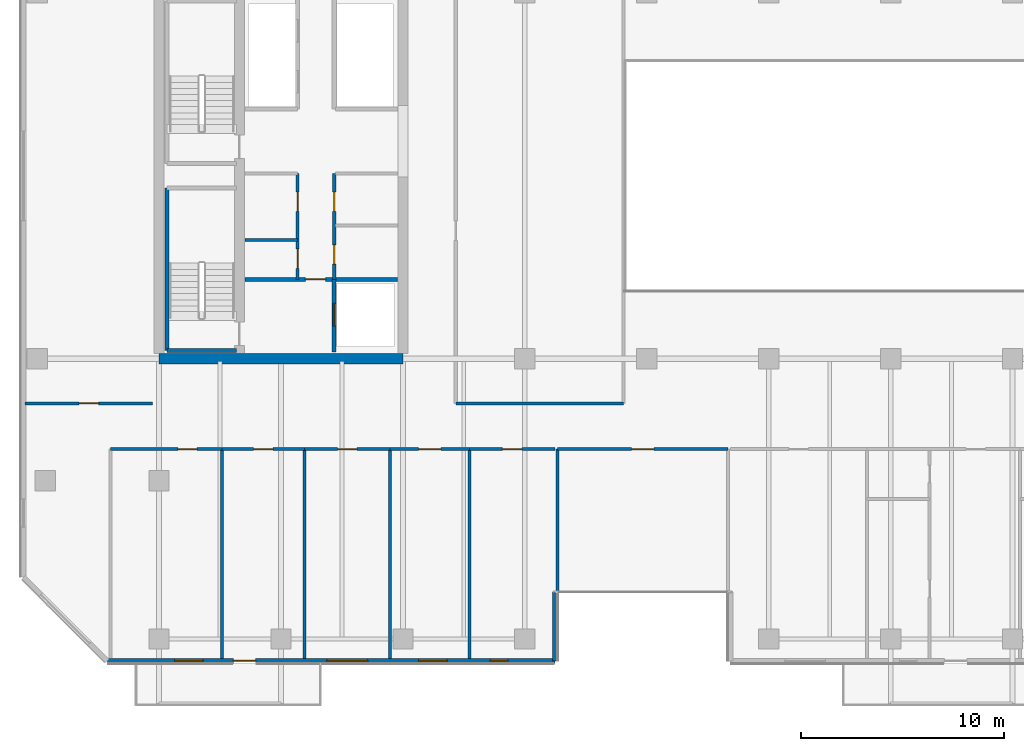
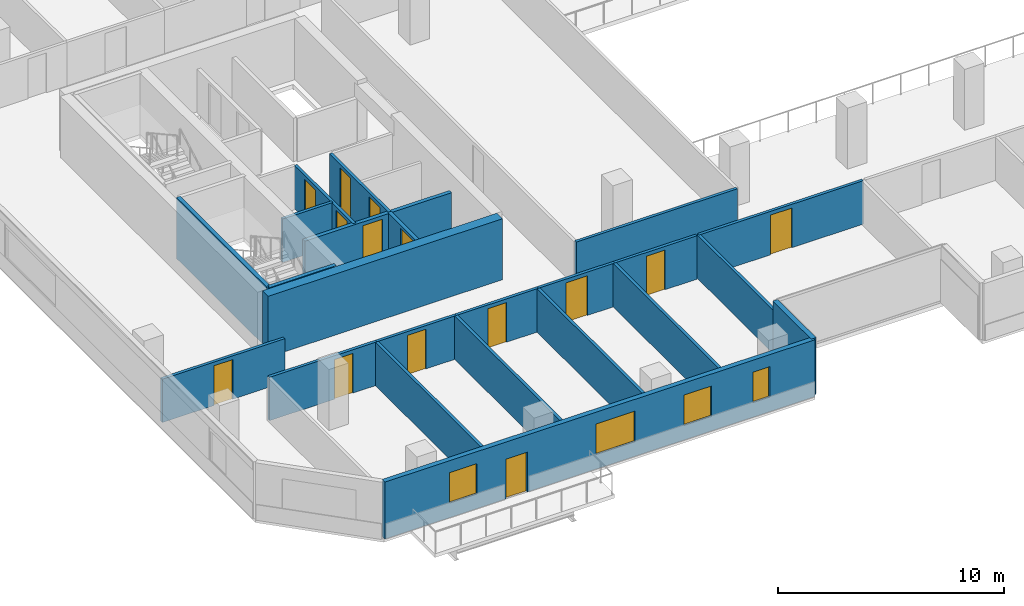
# One storey, part 10 of 23: 23 walls, 14 doors, 4 windows, 18 openings.
"""IFC4 building model written with IfcOpenShell, lengths in metres."""

from ifc_helpers import new_model, si_unit, direction, frame, frame_2d, origin, place, context, subcontext, project, spatial, rectangle, extrude, material, layer, layer_set, type_object, element, fill, save


model = new_model("IFC4")

# Units and contexts
model_context = context("Model", 3, precision=1e-05, world=origin(), true_north=direction((0.0, 1.0)))
body_context = subcontext(model_context, "Body", "Model", "MODEL_VIEW")
ifc_project = project(units=[si_unit("LENGTHUNIT", "METRE"), si_unit("AREAUNIT", "SQUARE_METRE"), si_unit("VOLUMEUNIT", "CUBIC_METRE"), si_unit("PLANEANGLEUNIT", "RADIAN"), si_unit("MASSUNIT", "GRAM", prefix="KILO")], contexts=[model_context])

# Site, building, storey
site_placement = place(None, origin())
site = spatial("IfcSite", under=ifc_project, at=site_placement, CompositionType="ELEMENT")
building_placement = place(site_placement, origin())
building = spatial("IfcBuilding", under=site, at=building_placement, Name="Tanjung Sevakor Pilgrim Tower", CompositionType="ELEMENT")
storey_placement = place(building_placement, frame((0.0, 0.0, 98.669921875)))
storey = spatial("IfcBuildingStorey", under=building, at=storey_placement, Name="L27", CompositionType="ELEMENT", Elevation=98.669921875)

# Walls
ifc_material_1 = material(Name="Concrete C60/75", Category="concrete")
ifc_layer_1 = layer(ifc_material_1, 0.5)
ifc_layer_set_1 = layer_set([ifc_layer_1], Name="WALL-CW-500")
wall_type_1 = type_object("IfcWallType", Name="WALL-CW-500", PredefinedType="SHEAR", material=ifc_layer_set_1)
wall_1_placement = place(storey_placement, frame((24.0, 24.60009765625, 0.0), z_axis=(0.0, 0.0, 1.0), x_axis=(1.0, 0.0, 0.0)))
element("IfcWall", 1, at=wall_1_placement, inside=storey, type_object=wall_type_1, Name="L27 W Core South Shear Wall", PredefinedType="SHEAR", context=body_context, shape_type="SweptSolid", body=[
    extrude(rectangle(XDim=12.0, YDim=0.5, at=frame_2d((6.0, 0.0))), origin(), (0.0, 0.0, 1.0), 3.300048828125),
])
ifc_material_2 = material(Name="Concrete C40/50", Category="concrete")
ifc_layer_2 = layer(ifc_material_2, 0.14990234375)
ifc_layer_set_2 = layer_set([ifc_layer_2], Name="WT-COMP-150")
wall_type_2 = type_object("IfcWallType", Name="WT-COMP-150", PredefinedType="SOLIDWALL", material=ifc_layer_set_2)
wall_2_placement = place(storey_placement, frame((28.219970703125, 30.449951171875, 0.0), z_axis=(0.0, 0.0, 1.0), x_axis=(1.0, 0.0, 0.0)))
element("IfcWall", 2, at=wall_2_placement, inside=storey, type_object=wall_type_2, Name="L27 Partition IW-L27-003", PredefinedType="SOLIDWALL", context=body_context, shape_type="SweptSolid", body=[
    extrude(rectangle(XDim=2.580078125, YDim=0.14990234375, at=frame_2d((1.2900390625, 0.0))), origin(), (0.0, 0.0, 1.0), 2.35009765625),
])

# Wall, openings, doors
wall_3_placement = place(storey_placement, frame((30.820068359375, 28.5, 0.0), z_axis=(0.0, 0.0, 1.0), x_axis=(0.0, 1.0, 0.0)))
wall_3 = element("IfcWall", 3, at=wall_3_placement, inside=storey, type_object=wall_type_2, Name="L27 Partition IW-L27-005", PredefinedType="SOLIDWALL", context=body_context, shape_type="SweptSolid", body=[
    extrude(rectangle(XDim=5.219970703125, YDim=0.14990234375, at=frame_2d((2.60986328125, 0.0))), origin(), (0.0, 0.0, 1.0), 2.35009765625),
])
opening_1_placement = place(wall_3_placement, frame((0.550048828125, 0.0, 0.0)))
opening_1 = element("IfcOpeningElement", 4, at=opening_1_placement, cuts=wall_3, Name="Opening ID-FD2", PredefinedType="OPENING", context=body_context, shape_type="SweptSolid", body=[
    extrude(rectangle(XDim=0.949951171875, YDim=2.14990234375, at=frame_2d((0.47509765625, 1.074951171875))), frame((0.0, 0.0849609375, 0.0), z_axis=(0.0, -1.0, 0.0), x_axis=(1.0, 0.0, 0.0)), (0.0, 0.0, 1.0), 0.169921875),
])
opening_2_placement = place(wall_3_placement, frame((3.35009765625, 0.0, 0.0)))
opening_2 = element("IfcOpeningElement", 5, at=opening_2_placement, cuts=wall_3, Name="Opening ID-FD2", PredefinedType="OPENING", context=body_context, shape_type="SweptSolid", body=[
    extrude(rectangle(XDim=0.949951171875, YDim=2.14990234375, at=frame_2d((0.47509765625, 1.074951171875))), frame((0.0, 0.0849609375, 0.0), z_axis=(0.0, -1.0, 0.0), x_axis=(1.0, 0.0, 0.0)), (0.0, 0.0, 1.0), 0.169921875),
])
ifc_material_3 = material(Name="Fire-Rated Timber", Category="wood")
door_type_1 = type_object("IfcDoorType", Name="DT-FIRE-950", OperationType="NOTDEFINED", PredefinedType="DOOR", material=ifc_material_3)
door_1_placement = place(opening_1_placement, origin())
door_1 = element("IfcDoor", 6, at=door_1_placement, inside=storey, type_object=door_type_1, Name="L27 Cleaner Store Door", OperationType="SINGLE_SWING_LEFT", OverallHeight=2.14990234375, OverallWidth=0.949951171875, PredefinedType="DOOR", context=body_context, shape_type="SweptSolid", body=[
    extrude(rectangle(XDim=0.949951171875, YDim=2.14990234375, at=frame_2d((0.47509765625, 1.074951171875))), frame((0.0, 0.02490234375, 0.0), z_axis=(0.0, -1.0, 0.0), x_axis=(1.0, 0.0, 0.0)), (0.0, 0.0, 1.0), 0.050048828125),
])
fill(opening_1, door_1)
door_2_placement = place(opening_2_placement, origin())
door_2 = element("IfcDoor", 7, at=door_2_placement, inside=storey, type_object=door_type_1, Name="L27 Housekeeping Pantry Door", OperationType="SINGLE_SWING_RIGHT", OverallHeight=2.14990234375, OverallWidth=0.949951171875, PredefinedType="DOOR", context=body_context, shape_type="SweptSolid", body=[
    extrude(rectangle(XDim=0.949951171875, YDim=2.14990234375, at=frame_2d((0.47509765625, 1.074951171875))), frame((0.0, 0.02490234375, 0.0), z_axis=(0.0, -1.0, 0.0), x_axis=(1.0, 0.0, 0.0)), (0.0, 0.0, 1.0), 0.050048828125),
])
fill(opening_2, door_2)

wall_4_placement = place(storey_placement, frame((32.6201171875, 28.5, 0.0), z_axis=(0.0, 0.0, 1.0), x_axis=(0.0, 1.0, 0.0)))
wall_4 = element("IfcWall", 8, at=wall_4_placement, inside=storey, type_object=wall_type_2, Name="L27 Partition IW-L27-008", PredefinedType="SOLIDWALL", context=body_context, shape_type="SweptSolid", body=[
    extrude(rectangle(XDim=5.219970703125, YDim=0.14990234375, at=frame_2d((2.60986328125, 0.0))), origin(), (0.0, 0.0, 1.0), 2.35009765625),
])
opening_3_placement = place(wall_4_placement, frame((0.75, 0.0, 0.0)))
opening_3 = element("IfcOpeningElement", 9, at=opening_3_placement, cuts=wall_4, Name="Opening ID-FD2", PredefinedType="OPENING", context=body_context, shape_type="SweptSolid", body=[
    extrude(rectangle(XDim=0.949951171875, YDim=2.14990234375, at=frame_2d((0.47509765625, 1.074951171875))), frame((0.0, 0.0849609375, 0.0), z_axis=(0.0, -1.0, 0.0), x_axis=(1.0, 0.0, 0.0)), (0.0, 0.0, 1.0), 0.169921875),
])
opening_4_placement = place(wall_4_placement, frame((3.35009765625, 0.0, 0.0)))
opening_4 = element("IfcOpeningElement", 10, at=opening_4_placement, cuts=wall_4, Name="Opening ID-FD2", PredefinedType="OPENING", context=body_context, shape_type="SweptSolid", body=[
    extrude(rectangle(XDim=0.949951171875, YDim=2.14990234375, at=frame_2d((0.47509765625, 1.074951171875))), frame((0.0, 0.0849609375, 0.0), z_axis=(0.0, -1.0, 0.0), x_axis=(1.0, 0.0, 0.0)), (0.0, 0.0, 1.0), 0.169921875),
])
door_3_placement = place(opening_3_placement, origin())
door_3 = element("IfcDoor", 11, at=door_3_placement, inside=storey, type_object=door_type_1, Name="L27 Accessible WC Door", OperationType="SINGLE_SWING_LEFT", OverallHeight=2.14990234375, OverallWidth=0.949951171875, PredefinedType="DOOR", context=body_context, shape_type="SweptSolid", body=[
    extrude(rectangle(XDim=0.949951171875, YDim=2.14990234375, at=frame_2d((0.47509765625, 1.074951171875))), frame((0.0, 0.02490234375, 0.0), z_axis=(0.0, -1.0, 0.0), x_axis=(1.0, 0.0, 0.0)), (0.0, 0.0, 1.0), 0.050048828125),
])
fill(opening_3, door_3)
door_4_placement = place(opening_4_placement, origin())
door_4 = element("IfcDoor", 12, at=door_4_placement, inside=storey, type_object=door_type_1, Name="L27 Core Service Door", OperationType="SINGLE_SWING_RIGHT", OverallHeight=2.14990234375, OverallWidth=0.949951171875, PredefinedType="DOOR", context=body_context, shape_type="SweptSolid", body=[
    extrude(rectangle(XDim=0.949951171875, YDim=2.14990234375, at=frame_2d((0.47509765625, 1.074951171875))), frame((0.0, 0.02490234375, 0.0), z_axis=(0.0, -1.0, 0.0), x_axis=(1.0, 0.0, 0.0)), (0.0, 0.0, 1.0), 0.050048828125),
])
fill(opening_4, door_4)

# Wall
wall_5_placement = place(storey_placement, frame((38.60009765625, 22.39990234375, 0.0), z_axis=(0.0, 0.0, 1.0), x_axis=(1.0, 0.0, 0.0)))
element("IfcWall", 13, at=wall_5_placement, inside=storey, type_object=wall_type_2, Name="L27 Partition IW-L27-025", PredefinedType="SOLIDWALL", context=body_context, shape_type="SweptSolid", body=[
    extrude(rectangle(XDim=8.25, YDim=0.14990234375, at=frame_2d((4.125, 0.0))), origin(), (0.0, 0.0, 1.0), 2.35009765625),
])

# Wall, opening, door
wall_6_placement = place(storey_placement, frame((17.409912109375, 22.39990234375, 0.0), z_axis=(0.0, 0.0, 1.0), x_axis=(1.0, 0.0, 0.0)))
wall_6 = element("IfcWall", 14, at=wall_6_placement, inside=storey, type_object=wall_type_2, Name="L27 Partition IW-L27-033", PredefinedType="SOLIDWALL", context=body_context, shape_type="SweptSolid", body=[
    extrude(rectangle(XDim=6.27001953125, YDim=0.14990234375, at=frame_2d((3.135009765625, 0.0))), origin(), (0.0, 0.0, 1.0), 2.35009765625),
])
opening_5_placement = place(wall_6_placement, frame((2.659912109375, 0.0, 0.0)))
opening_5 = element("IfcOpeningElement", 15, at=opening_5_placement, cuts=wall_6, Name="Opening ID-FD2", PredefinedType="OPENING", context=body_context, shape_type="SweptSolid", body=[
    extrude(rectangle(XDim=0.949951171875, YDim=2.14990234375, at=frame_2d((0.47509765625, 1.074951171875))), frame((0.0, 0.0849609375, 0.0), z_axis=(0.0, -1.0, 0.0), x_axis=(1.0, 0.0, 0.0)), (0.0, 0.0, 1.0), 0.169921875),
])
door_5_placement = place(opening_5_placement, origin())
door_5 = element("IfcDoor", 16, at=door_5_placement, inside=storey, type_object=door_type_1, Name="Study Room Entrance", OperationType="SINGLE_SWING_LEFT", OverallHeight=2.14990234375, OverallWidth=0.949951171875, PredefinedType="DOOR", context=body_context, shape_type="SweptSolid", body=[
    extrude(rectangle(XDim=0.949951171875, YDim=2.14990234375, at=frame_2d((0.47509765625, 1.074951171875))), frame((0.0, 0.02490234375, 0.0), z_axis=(0.0, -1.0, 0.0), x_axis=(1.0, 0.0, 0.0)), (0.0, 0.0, 1.0), 0.050048828125),
])
fill(opening_5, door_5)

wall_7_placement = place(storey_placement, frame((43.60009765625, 20.14990234375, 0.0), z_axis=(0.0, 0.0, 1.0), x_axis=(1.0, 0.0, 0.0)))
wall_7 = element("IfcWall", 17, at=wall_7_placement, inside=storey, type_object=wall_type_2, Name="L27 Partition IW-L27-041", PredefinedType="SOLIDWALL", context=body_context, shape_type="SweptSolid", body=[
    extrude(rectangle(XDim=8.39990234375, YDim=0.14990234375, at=frame_2d((4.199951171875, 0.0))), origin(), (0.0, 0.0, 1.0), 2.35009765625),
])
opening_6_placement = place(wall_7_placement, frame((3.64990234375, 0.0, 0.0)))
opening_6 = element("IfcOpeningElement", 18, at=opening_6_placement, cuts=wall_7, Name="Opening ID-RM2", PredefinedType="OPENING", context=body_context, shape_type="SweptSolid", body=[
    extrude(rectangle(XDim=1.10009765625, YDim=2.14990234375, at=frame_2d((0.550048828125, 1.074951171875))), frame((0.0, 0.0849609375, 0.0), z_axis=(0.0, -1.0, 0.0), x_axis=(1.0, 0.0, 0.0)), (0.0, 0.0, 1.0), 0.169921875),
])
ifc_material_4 = material(Name="Hardwood Timber", Category="wood")
door_type_2 = type_object("IfcDoorType", Name="DT-INT-1100", OperationType="NOTDEFINED", PredefinedType="DOOR", material=ifc_material_4)
door_6_placement = place(opening_6_placement, origin())
door_6 = element("IfcDoor", 19, at=door_6_placement, inside=storey, type_object=door_type_2, Name="L27 South Cleft Tea Sanctuary Door", OperationType="SINGLE_SWING_LEFT", OverallHeight=2.14990234375, OverallWidth=1.10009765625, PredefinedType="DOOR", context=body_context, shape_type="SweptSolid", body=[
    extrude(rectangle(XDim=1.10009765625, YDim=2.14990234375, at=frame_2d((0.550048828125, 1.074951171875))), frame((0.0, 0.02490234375, 0.0), z_axis=(0.0, -1.0, 0.0), x_axis=(1.0, 0.0, 0.0)), (0.0, 0.0, 1.0), 0.050048828125),
])
fill(opening_6, door_6)

# Walls
for number, where, z_axis, x_axis, name in (
    (20, (43.60009765625, 9.85009765625, 0.0), (0.0, 0.0, 1.0), (0.0, 1.0, 0.0), "L27 Partition IW-L27-042"),
    (21, (27.099365234375, 9.85009765625, 0.0), (0.0, 0.0, 1.0), (0.0, 1.0, 0.0), "L27 Partition IW-L27-048"),
):
    element("IfcWall", number, at=place(storey_placement, frame(where, z_axis=z_axis, x_axis=x_axis)), inside=storey, type_object=wall_type_2, Name=name, PredefinedType="SOLIDWALL", context=body_context, shape_type="SweptSolid", body=[
        extrude(rectangle(XDim=10.2998046875, YDim=0.14990234375, at=frame_2d((5.14990234375, 0.0))), origin(), (0.0, 0.0, 1.0), 2.35009765625),
    ])

# Wall, opening, door
wall_8_placement = place(storey_placement, frame((21.60009765625, 20.14990234375, 0.0), z_axis=(0.0, 0.0, 1.0), x_axis=(1.0, 0.0, 0.0)))
wall_8 = element("IfcWall", 22, at=wall_8_placement, inside=storey, type_object=wall_type_2, Name="L27 Partition IW-L27-049", PredefinedType="SOLIDWALL", context=body_context, shape_type="SweptSolid", body=[
    extrude(rectangle(XDim=5.499267578125, YDim=0.14990234375, at=frame_2d((2.74951171875, 0.0))), origin(), (0.0, 0.0, 1.0), 2.35009765625),
])
opening_7_placement = place(wall_8_placement, frame((3.32470703125, 0.0, 0.0)))
opening_7 = element("IfcOpeningElement", 23, at=opening_7_placement, cuts=wall_8, Name="Opening ID-FD2", PredefinedType="OPENING", context=body_context, shape_type="SweptSolid", body=[
    extrude(rectangle(XDim=0.949951171875, YDim=2.14990234375, at=frame_2d((0.47509765625, 1.074951171875))), frame((0.0, 0.0849609375, 0.0), z_axis=(0.0, -1.0, 0.0), x_axis=(1.0, 0.0, 0.0)), (0.0, 0.0, 1.0), 0.169921875),
])
door_7_placement = place(opening_7_placement, origin())
door_7 = element("IfcDoor", 24, at=door_7_placement, inside=storey, type_object=door_type_1, Name="Study Room Entrance", OperationType="SINGLE_SWING_LEFT", OverallHeight=2.14990234375, OverallWidth=0.949951171875, PredefinedType="DOOR", context=body_context, shape_type="SweptSolid", body=[
    extrude(rectangle(XDim=0.949951171875, YDim=2.14990234375, at=frame_2d((0.47509765625, 1.074951171875))), frame((0.0, 0.02490234375, 0.0), z_axis=(0.0, -1.0, 0.0), x_axis=(1.0, 0.0, 0.0)), (0.0, 0.0, 1.0), 0.050048828125),
])
fill(opening_7, door_7)

# Wall
wall_9_placement = place(storey_placement, frame((31.155517578125, 9.85009765625, 0.0), z_axis=(0.0, 0.0, 1.0), x_axis=(0.0, 1.0, 0.0)))
element("IfcWall", 25, at=wall_9_placement, inside=storey, type_object=wall_type_2, Name="L27 Partition IW-L27-050", PredefinedType="SOLIDWALL", context=body_context, shape_type="SweptSolid", body=[
    extrude(rectangle(XDim=10.2998046875, YDim=0.14990234375, at=frame_2d((5.14990234375, 0.0))), origin(), (0.0, 0.0, 1.0), 2.35009765625),
])

# Wall, opening, door
wall_10_placement = place(storey_placement, frame((27.099365234375, 20.14990234375, 0.0), z_axis=(0.0, 0.0, 1.0), x_axis=(1.0, 0.0, 0.0)))
wall_10 = element("IfcWall", 26, at=wall_10_placement, inside=storey, type_object=wall_type_2, Name="L27 Partition IW-L27-051", PredefinedType="SOLIDWALL", context=body_context, shape_type="SweptSolid", body=[
    extrude(rectangle(XDim=4.05615234375, YDim=0.14990234375, at=frame_2d((2.028076171875, 0.0))), origin(), (0.0, 0.0, 1.0), 2.35009765625),
])
opening_8_placement = place(wall_10_placement, frame((1.552978515625, 0.0, 0.0)))
opening_8 = element("IfcOpeningElement", 27, at=opening_8_placement, cuts=wall_10, Name="Opening ID-FD2", PredefinedType="OPENING", context=body_context, shape_type="SweptSolid", body=[
    extrude(rectangle(XDim=0.949951171875, YDim=2.14990234375, at=frame_2d((0.47509765625, 1.074951171875))), frame((0.0, 0.0849609375, 0.0), z_axis=(0.0, -1.0, 0.0), x_axis=(1.0, 0.0, 0.0)), (0.0, 0.0, 1.0), 0.169921875),
])
door_8_placement = place(opening_8_placement, origin())
door_8 = element("IfcDoor", 28, at=door_8_placement, inside=storey, type_object=door_type_1, Name="Study Room Entrance", OperationType="SINGLE_SWING_RIGHT", OverallHeight=2.14990234375, OverallWidth=0.949951171875, PredefinedType="DOOR", context=body_context, shape_type="SweptSolid", body=[
    extrude(rectangle(XDim=0.949951171875, YDim=2.14990234375, at=frame_2d((0.47509765625, 1.074951171875))), frame((0.0, 0.02490234375, 0.0), z_axis=(0.0, -1.0, 0.0), x_axis=(1.0, 0.0, 0.0)), (0.0, 0.0, 1.0), 0.050048828125),
])
fill(opening_8, door_8)

# Wall
wall_11_placement = place(storey_placement, frame((35.36767578125, 9.85009765625, 0.0), z_axis=(0.0, 0.0, 1.0), x_axis=(0.0, 1.0, 0.0)))
element("IfcWall", 29, at=wall_11_placement, inside=storey, type_object=wall_type_2, Name="L27 Partition IW-L27-052", PredefinedType="SOLIDWALL", context=body_context, shape_type="SweptSolid", body=[
    extrude(rectangle(XDim=10.2998046875, YDim=0.14990234375, at=frame_2d((5.14990234375, 0.0))), origin(), (0.0, 0.0, 1.0), 2.35009765625),
])

# Wall, opening, door
wall_12_placement = place(storey_placement, frame((31.155517578125, 20.14990234375, 0.0), z_axis=(0.0, 0.0, 1.0), x_axis=(1.0, 0.0, 0.0)))
wall_12 = element("IfcWall", 30, at=wall_12_placement, inside=storey, type_object=wall_type_2, Name="L27 Partition IW-L27-053", PredefinedType="SOLIDWALL", context=body_context, shape_type="SweptSolid", body=[
    extrude(rectangle(XDim=4.212158203125, YDim=0.14990234375, at=frame_2d((2.10595703125, 0.0))), origin(), (0.0, 0.0, 1.0), 2.35009765625),
])
opening_9_placement = place(wall_12_placement, frame((1.631103515625, 0.0, 0.0)))
opening_9 = element("IfcOpeningElement", 31, at=opening_9_placement, cuts=wall_12, Name="Opening ID-FD2", PredefinedType="OPENING", context=body_context, shape_type="SweptSolid", body=[
    extrude(rectangle(XDim=0.949951171875, YDim=2.14990234375, at=frame_2d((0.47509765625, 1.074951171875))), frame((0.0, 0.0849609375, 0.0), z_axis=(0.0, -1.0, 0.0), x_axis=(1.0, 0.0, 0.0)), (0.0, 0.0, 1.0), 0.169921875),
])
door_9_placement = place(opening_9_placement, origin())
door_9 = element("IfcDoor", 32, at=door_9_placement, inside=storey, type_object=door_type_1, Name="Study Room Entrance", OperationType="SINGLE_SWING_LEFT", OverallHeight=2.14990234375, OverallWidth=0.949951171875, PredefinedType="DOOR", context=body_context, shape_type="SweptSolid", body=[
    extrude(rectangle(XDim=0.949951171875, YDim=2.14990234375, at=frame_2d((0.47509765625, 1.074951171875))), frame((0.0, 0.02490234375, 0.0), z_axis=(0.0, -1.0, 0.0), x_axis=(1.0, 0.0, 0.0)), (0.0, 0.0, 1.0), 0.050048828125),
])
fill(opening_9, door_9)

# Wall
wall_13_placement = place(storey_placement, frame((39.267822265625, 9.85009765625, 0.0), z_axis=(0.0, 0.0, 1.0), x_axis=(0.0, 1.0, 0.0)))
element("IfcWall", 33, at=wall_13_placement, inside=storey, type_object=wall_type_2, Name="L27 Partition IW-L27-054", PredefinedType="SOLIDWALL", context=body_context, shape_type="SweptSolid", body=[
    extrude(rectangle(XDim=10.2998046875, YDim=0.14990234375, at=frame_2d((5.14990234375, 0.0))), origin(), (0.0, 0.0, 1.0), 2.35009765625),
])

# Wall, opening, door
wall_14_placement = place(storey_placement, frame((35.36767578125, 20.14990234375, 0.0), z_axis=(0.0, 0.0, 1.0), x_axis=(1.0, 0.0, 0.0)))
wall_14 = element("IfcWall", 34, at=wall_14_placement, inside=storey, type_object=wall_type_2, Name="L27 Partition IW-L27-055", PredefinedType="SOLIDWALL", context=body_context, shape_type="SweptSolid", body=[
    extrude(rectangle(XDim=3.900146484375, YDim=0.14990234375, at=frame_2d((1.9501953125, 0.0))), origin(), (0.0, 0.0, 1.0), 2.35009765625),
])
opening_10_placement = place(wall_14_placement, frame((1.400146484375, 0.0, 0.0)))
opening_10 = element("IfcOpeningElement", 35, at=opening_10_placement, cuts=wall_14, Name="Opening ID-FD0", PredefinedType="OPENING", context=body_context, shape_type="SweptSolid", body=[
    extrude(rectangle(XDim=1.10009765625, YDim=2.14990234375, at=frame_2d((0.550048828125, 1.074951171875))), frame((0.0, 0.0849609375, 0.0), z_axis=(0.0, -1.0, 0.0), x_axis=(1.0, 0.0, 0.0)), (0.0, 0.0, 1.0), 0.169921875),
])
ifc_material_5 = material(Name="Fire-Rated Steel S355J2", Category="steel")
door_type_3 = type_object("IfcDoorType", Name="DT-FIRE-1100", OperationType="NOTDEFINED", PredefinedType="DOOR", material=ifc_material_5)
door_10_placement = place(opening_10_placement, origin())
door_10 = element("IfcDoor", 36, at=door_10_placement, inside=storey, type_object=door_type_3, Name="Communal Lounge Door", OperationType="SINGLE_SWING_RIGHT", OverallHeight=2.14990234375, OverallWidth=1.10009765625, PredefinedType="DOOR", context=body_context, shape_type="SweptSolid", body=[
    extrude(rectangle(XDim=1.10009765625, YDim=2.14990234375, at=frame_2d((0.550048828125, 1.074951171875))), frame((0.0, 0.02490234375, 0.0), z_axis=(0.0, -1.0, 0.0), x_axis=(1.0, 0.0, 0.0)), (0.0, 0.0, 1.0), 0.050048828125),
])
fill(opening_10, door_10)

wall_15_placement = place(storey_placement, frame((39.267822265625, 20.14990234375, 0.0), z_axis=(0.0, 0.0, 1.0), x_axis=(1.0, 0.0, 0.0)))
wall_15 = element("IfcWall", 37, at=wall_15_placement, inside=storey, type_object=wall_type_2, Name="L27 Partition IW-L27-056", PredefinedType="SOLIDWALL", context=body_context, shape_type="SweptSolid", body=[
    extrude(rectangle(XDim=4.212158203125, YDim=0.14990234375, at=frame_2d((2.10595703125, 0.0))), origin(), (0.0, 0.0, 1.0), 2.35009765625),
])
opening_11_placement = place(wall_15_placement, frame((1.631103515625, 0.0, 0.0)))
opening_11 = element("IfcOpeningElement", 38, at=opening_11_placement, cuts=wall_15, Name="Opening ID-FD2", PredefinedType="OPENING", context=body_context, shape_type="SweptSolid", body=[
    extrude(rectangle(XDim=0.949951171875, YDim=2.14990234375, at=frame_2d((0.47509765625, 1.074951171875))), frame((0.0, 0.0849609375, 0.0), z_axis=(0.0, -1.0, 0.0), x_axis=(1.0, 0.0, 0.0)), (0.0, 0.0, 1.0), 0.169921875),
])
door_11_placement = place(opening_11_placement, origin())
door_11 = element("IfcDoor", 39, at=door_11_placement, inside=storey, type_object=door_type_1, Name="Study Room Entrance", OperationType="SINGLE_SWING_LEFT", OverallHeight=2.14990234375, OverallWidth=0.949951171875, PredefinedType="DOOR", context=body_context, shape_type="SweptSolid", body=[
    extrude(rectangle(XDim=0.949951171875, YDim=2.14990234375, at=frame_2d((0.47509765625, 1.074951171875))), frame((0.0, 0.02490234375, 0.0), z_axis=(0.0, -1.0, 0.0), x_axis=(1.0, 0.0, 0.0)), (0.0, 0.0, 1.0), 0.050048828125),
])
fill(opening_11, door_11)

# Wall, openings, door, windows
ifc_material_6 = material(Name="Precast concrete C45/55", Category="concrete")
ifc_layer_3 = layer(ifc_material_6, 0.25)
ifc_layer_set_3 = layer_set([ifc_layer_3], Name="WT-EW-STN3")
wall_type_3 = type_object("IfcWallType", Name="WT-EW-STN3", PredefinedType="SOLIDWALL", material=ifc_layer_set_3)
wall_16_placement = place(storey_placement, frame((21.451904296875, 9.72509765625, 0.0), z_axis=(0.0, 0.0, 1.0), x_axis=(1.0, 0.0, 0.0)))
wall_16 = element("IfcWall", 40, at=wall_16_placement, inside=storey, type_object=wall_type_3, Name="L27 MAIN Exterior Wall 1", PredefinedType="SOLIDWALL", context=body_context, shape_type="SweptSolid", body=[
    extrude(rectangle(XDim=22.023193359375, YDim=0.25, at=frame_2d((11.01171875, 0.0))), origin(), (0.0, 0.0, 1.0), 3.080078125),
])
opening_12_placement = place(wall_16_placement, frame((6.1982421875, 0.0, 0.0)))
opening_12 = element("IfcOpeningElement", 41, at=opening_12_placement, cuts=wall_16, Name="Opening ED-BAL-1100", PredefinedType="OPENING", context=body_context, shape_type="SweptSolid", body=[
    extrude(rectangle(XDim=1.10009765625, YDim=2.14990234375, at=frame_2d((0.550048828125, 1.074951171875))), frame((0.0, 0.135009765625, 0.0), z_axis=(0.0, -1.0, 0.0), x_axis=(1.0, 0.0, 0.0)), (0.0, 0.0, 1.0), 0.27001953125),
])
opening_13_placement = place(wall_16_placement, frame((3.31787109375, 0.0, 0.780029296875)))
opening_13 = element("IfcOpeningElement", 42, at=opening_13_placement, cuts=wall_16, Name="Opening WN-END", PredefinedType="OPENING", context=body_context, shape_type="SweptSolid", body=[
    extrude(rectangle(XDim=1.39990234375, YDim=1.64990234375, at=frame_2d((0.699951171875, 0.824951171875))), frame((0.0, 0.135009765625, 0.0), z_axis=(0.0, -1.0, 0.0), x_axis=(1.0, 0.0, 0.0)), (0.0, 0.0, 1.0), 0.27001953125),
])
opening_14_placement = place(wall_16_placement, frame((10.809814453125, 0.0, 0.780029296875)))
opening_14 = element("IfcOpeningElement", 43, at=opening_14_placement, cuts=wall_16, Name="Opening WN-Z2-1660", PredefinedType="OPENING", context=body_context, shape_type="SweptSolid", body=[
    extrude(rectangle(XDim=2.0, YDim=1.659912109375, at=frame_2d((1.0, 0.830078125))), frame((0.0, 0.135009765625, 0.0), z_axis=(0.0, -1.0, 0.0), x_axis=(1.0, 0.0, 0.0)), (0.0, 0.0, 1.0), 0.27001953125),
])
opening_15_placement = place(wall_16_placement, frame((15.325927734375, 0.0, 0.780029296875)))
opening_15 = element("IfcOpeningElement", 44, at=opening_15_placement, cuts=wall_16, Name="Opening WN-END", PredefinedType="OPENING", context=body_context, shape_type="SweptSolid", body=[
    extrude(rectangle(XDim=1.39990234375, YDim=1.64990234375, at=frame_2d((0.699951171875, 0.824951171875))), frame((0.0, 0.135009765625, 0.0), z_axis=(0.0, -1.0, 0.0), x_axis=(1.0, 0.0, 0.0)), (0.0, 0.0, 1.0), 0.27001953125),
])
opening_16_placement = place(wall_16_placement, frame((18.857177734375, 0.0, 0.780029296875)))
opening_16 = element("IfcOpeningElement", 45, at=opening_16_placement, cuts=wall_16, Name="Opening WN-SLM", PredefinedType="OPENING", context=body_context, shape_type="SweptSolid", body=[
    extrude(rectangle(XDim=0.85009765625, YDim=1.64990234375, at=frame_2d((0.425048828125, 0.824951171875))), frame((0.0, 0.135009765625, 0.0), z_axis=(0.0, -1.0, 0.0), x_axis=(1.0, 0.0, 0.0)), (0.0, 0.0, 1.0), 0.27001953125),
])
ifc_material_7 = material(Name="Anodised Aluminium and Laminated Glass", Category="aluminium")
door_type_4 = type_object("IfcDoorType", Name="DTYP-ED-BAL-1100", OperationType="NOTDEFINED", PredefinedType="DOOR", material=ifc_material_7)
door_12_placement = place(opening_12_placement, frame((1.10009765625, 0.0, 0.0), z_axis=(0.0, 0.0, 1.0), x_axis=(-1.0, 0.0, 0.0)))
door_12 = element("IfcDoor", 46, at=door_12_placement, inside=storey, type_object=door_type_4, Name="L27 Balcony Door MAIN-S1", OperationType="SINGLE_SWING_RIGHT", OverallHeight=2.14990234375, OverallWidth=1.10009765625, PredefinedType="DOOR", context=body_context, shape_type="SweptSolid", body=[
    extrude(rectangle(XDim=1.10009765625, YDim=2.14990234375, at=frame_2d((0.550048828125, 1.074951171875))), frame((0.0, 0.02490234375, 0.0), z_axis=(0.0, -1.0, 0.0), x_axis=(1.0, 0.0, 0.0)), (0.0, 0.0, 1.0), 0.050048828125),
])
fill(opening_12, door_12)
ifc_material_8 = material(Name="Thermally Broken Aluminium and Low-E Glass", Category="aluminium")
window_type_1 = type_object("IfcWindowType", Name="WTYP-WN-END", PartitioningType="SINGLE_PANEL", PredefinedType="WINDOW", material=ifc_material_8)
window_1_placement = place(opening_13_placement, origin())
window_1 = element("IfcWindow", 47, at=window_1_placement, inside=storey, type_object=window_type_1, Name="L27 Facade Window 01", OverallHeight=1.64990234375, OverallWidth=1.39990234375, PartitioningType="SINGLE_PANEL", PredefinedType="WINDOW", context=body_context, shape_type="SweptSolid", body=[
    extrude(rectangle(XDim=1.39990234375, YDim=1.64990234375, at=frame_2d((0.699951171875, 0.824951171875))), frame((0.0, 0.030029296875, 0.0), z_axis=(0.0, -1.0, 0.0), x_axis=(1.0, 0.0, 0.0)), (0.0, 0.0, 1.0), 0.06005859375),
])
fill(opening_13, window_1)
window_2_placement = place(opening_15_placement, origin())
window_2 = element("IfcWindow", 48, at=window_2_placement, inside=storey, type_object=window_type_1, Name="L27 Facade Window 03", OverallHeight=1.64990234375, OverallWidth=1.39990234375, PartitioningType="SINGLE_PANEL", PredefinedType="WINDOW", context=body_context, shape_type="SweptSolid", body=[
    extrude(rectangle(XDim=1.39990234375, YDim=1.64990234375, at=frame_2d((0.699951171875, 0.824951171875))), frame((0.0, 0.030029296875, 0.0), z_axis=(0.0, -1.0, 0.0), x_axis=(1.0, 0.0, 0.0)), (0.0, 0.0, 1.0), 0.06005859375),
])
fill(opening_15, window_2)
ifc_material_9 = material(Name="Thermally Broken Aluminium and Low-E Glass", Category="aluminium")
window_type_2 = type_object("IfcWindowType", Name="WTYP-WN-SLM", PartitioningType="SINGLE_PANEL", PredefinedType="WINDOW", material=ifc_material_9)
window_3_placement = place(opening_16_placement, origin())
window_3 = element("IfcWindow", 49, at=window_3_placement, inside=storey, type_object=window_type_2, Name="L27 Facade Window 04", OverallHeight=1.64990234375, OverallWidth=0.85009765625, PartitioningType="SINGLE_PANEL", PredefinedType="WINDOW", context=body_context, shape_type="SweptSolid", body=[
    extrude(rectangle(XDim=0.85009765625, YDim=1.64990234375, at=frame_2d((0.425048828125, 0.824951171875))), frame((0.0, 0.030029296875, 0.0), z_axis=(0.0, -1.0, 0.0), x_axis=(1.0, 0.0, 0.0)), (0.0, 0.0, 1.0), 0.06005859375),
])
fill(opening_16, window_3)
ifc_material_10 = material(Name="Thermally Broken Aluminium and Low-E Glass", Category="aluminium")
window_type_3 = type_object("IfcWindowType", Name="WTYP-WN-Z2-1660", PartitioningType="DOUBLE_PANEL_VERTICAL", PredefinedType="WINDOW", material=ifc_material_10)
window_4_placement = place(opening_14_placement, origin())
window_4 = element("IfcWindow", 50, at=window_4_placement, inside=storey, type_object=window_type_3, Name="L27 Facade Window 02", OverallHeight=1.659912109375, OverallWidth=2.0, PartitioningType="SINGLE_PANEL", PredefinedType="WINDOW", context=body_context, shape_type="SweptSolid", body=[
    extrude(rectangle(XDim=2.0, YDim=1.659912109375, at=frame_2d((1.0, 0.830078125))), frame((0.0, 0.030029296875, 0.0), z_axis=(0.0, -1.0, 0.0), x_axis=(1.0, 0.0, 0.0)), (0.0, 0.0, 1.0), 0.06005859375),
])
fill(opening_14, window_4)

# Walls
wall_17_placement = place(storey_placement, frame((43.47509765625, 9.72509765625, 0.0), z_axis=(0.0, 0.0, 1.0), x_axis=(0.0, 1.0, 0.0)))
element("IfcWall", 51, at=wall_17_placement, inside=storey, type_object=wall_type_3, Name="L27 MAIN Exterior Wall 2", PredefinedType="SOLIDWALL", context=body_context, shape_type="SweptSolid", body=[
    extrude(rectangle(XDim=3.39990234375, YDim=0.25, at=frame_2d((1.699951171875, 0.0))), origin(), (0.0, 0.0, 1.0), 3.080078125),
])
ifc_material_11 = material(Name="Concrete C40/50", Category="concrete")
ifc_layer_4 = layer(ifc_material_11, 0.199951171875)
ifc_layer_set_4 = layer_set([ifc_layer_4], Name="WT-FIRE-200")
wall_type_4 = type_object("IfcWallType", Name="WT-FIRE-200", PredefinedType="SOLIDWALL", material=ifc_layer_set_4)
wall_18_placement = place(storey_placement, frame((24.39990234375, 25.0, 0.0), z_axis=(0.0, 0.0, 1.0), x_axis=(1.0, 0.0, 0.0)))
element("IfcWall", 52, at=wall_18_placement, inside=storey, type_object=wall_type_4, Name="L27 TS-W1 Shaft Wall 1", PredefinedType="SOLIDWALL", context=body_context, shape_type="SweptSolid", body=[
    extrude(rectangle(XDim=3.400146484375, YDim=0.199951171875, at=frame_2d((1.7001953125, 0.0))), origin(), (0.0, 0.0, 1.0), 3.300048828125),
])
wall_19_placement = place(storey_placement, frame((24.39990234375, 33.0, 0.0), z_axis=(0.0, 0.0, 1.0), x_axis=(0.0, -1.0, 0.0)))
element("IfcWall", 53, at=wall_19_placement, inside=storey, type_object=wall_type_4, Name="L27 TS-W1 Shaft Wall 3", PredefinedType="SOLIDWALL", context=body_context, shape_type="SweptSolid", body=[
    extrude(rectangle(XDim=8.0, YDim=0.199951171875, at=frame_2d((4.0, 0.0))), origin(), (0.0, 0.0, 1.0), 3.300048828125),
])

# Wall, opening, door
ifc_material_12 = material(Name="Concrete C40/50", Category="concrete")
ifc_layer_5 = layer(ifc_material_12, 0.199951171875)
ifc_layer_set_5 = layer_set([ifc_layer_5], Name="WT-FPRT-200")
wall_type_5 = type_object("IfcWallType", Name="WT-FPRT-200", PredefinedType="SOLIDWALL", material=ifc_layer_set_5)
wall_20_placement = place(storey_placement, frame((32.60009765625, 24.919921875, 0.0), z_axis=(0.0, 0.0, 1.0), x_axis=(0.0, 1.0, 0.0)))
wall_20 = element("IfcWall", 54, at=wall_20_placement, inside=storey, type_object=wall_type_5, Name="L27 Partition IW-L27-001", PredefinedType="SOLIDWALL", context=body_context, shape_type="SweptSolid", body=[
    extrude(rectangle(XDim=3.580078125, YDim=0.199951171875, at=frame_2d((1.7900390625, 0.0))), origin(), (0.0, 0.0, 1.0), 2.35009765625),
])
opening_17_placement = place(wall_20_placement, frame((1.300048828125, 0.0, 0.0)))
opening_17 = element("IfcOpeningElement", 55, at=opening_17_placement, cuts=wall_20, Name="Opening LD-1100", PredefinedType="OPENING", context=body_context, shape_type="SweptSolid", body=[
    extrude(rectangle(XDim=1.10009765625, YDim=2.199951171875, at=frame_2d((0.550048828125, 1.10009765625))), frame((0.0, 0.10986328125, 0.0), z_axis=(0.0, -1.0, 0.0), x_axis=(1.0, 0.0, 0.0)), (0.0, 0.0, 1.0), 0.219970703125),
])
ifc_material_13 = material(Name="Brushed Stainless Steel S355J2", Category="steel")
door_type_5 = type_object("IfcDoorType", Name="DT-LIFT-1100", OperationType="SLIDING_TO_LEFT", PredefinedType="DOOR", material=ifc_material_13)
door_13_placement = place(opening_17_placement, origin())
door_13 = element("IfcDoor", 56, at=door_13_placement, inside=storey, type_object=door_type_5, Name="LD-FL-W", OperationType="SLIDING_TO_LEFT", OverallHeight=2.199951171875, OverallWidth=1.10009765625, PredefinedType="DOOR", context=body_context, shape_type="SweptSolid", body=[
    extrude(rectangle(XDim=1.10009765625, YDim=2.199951171875, at=frame_2d((0.550048828125, 1.10009765625))), frame((0.0, 0.02490234375, 0.0), z_axis=(0.0, -1.0, 0.0), x_axis=(1.0, 0.0, 0.0)), (0.0, 0.0, 1.0), 0.050048828125),
])
fill(opening_17, door_13)

wall_21_placement = place(storey_placement, frame((28.219970703125, 28.5, 0.0), z_axis=(0.0, 0.0, 1.0), x_axis=(1.0, 0.0, 0.0)))
wall_21 = element("IfcWall", 57, at=wall_21_placement, inside=storey, type_object=wall_type_5, Name="L27 Partition IW-L27-002", PredefinedType="SOLIDWALL", context=body_context, shape_type="SweptSolid", body=[
    extrude(rectangle(XDim=7.510009765625, YDim=0.199951171875, at=frame_2d((3.7548828125, 0.0))), origin(), (0.0, 0.0, 1.0), 2.35009765625),
])
opening_18_placement = place(wall_21_placement, frame((2.97998046875, 0.0, 0.0)))
opening_18 = element("IfcOpeningElement", 58, at=opening_18_placement, cuts=wall_21, Name="Opening ID-FD1", PredefinedType="OPENING", context=body_context, shape_type="SweptSolid", body=[
    extrude(rectangle(XDim=1.0, YDim=2.14990234375, at=frame_2d((0.5, 1.074951171875))), frame((0.0, 0.10986328125, 0.0), z_axis=(0.0, -1.0, 0.0), x_axis=(1.0, 0.0, 0.0)), (0.0, 0.0, 1.0), 0.219970703125),
])
ifc_material_14 = material(Name="Fire-Rated Steel S355J2", Category="steel")
door_type_6 = type_object("IfcDoorType", Name="DT-FIRE-1000", OperationType="NOTDEFINED", PredefinedType="DOOR", material=ifc_material_14)
door_14_placement = place(opening_18_placement, origin())
door_14 = element("IfcDoor", 59, at=door_14_placement, inside=storey, type_object=door_type_6, Name="Fire Lobby Door W", OperationType="SINGLE_SWING_RIGHT", OverallHeight=2.14990234375, OverallWidth=1.0, PredefinedType="DOOR", context=body_context, shape_type="SweptSolid", body=[
    extrude(rectangle(XDim=1.0, YDim=2.14990234375, at=frame_2d((0.5, 1.074951171875))), frame((0.0, 0.02490234375, 0.0), z_axis=(0.0, -1.0, 0.0), x_axis=(1.0, 0.0, 0.0)), (0.0, 0.0, 1.0), 0.050048828125),
])
fill(opening_18, door_14)

save(model, "model.ifc")
